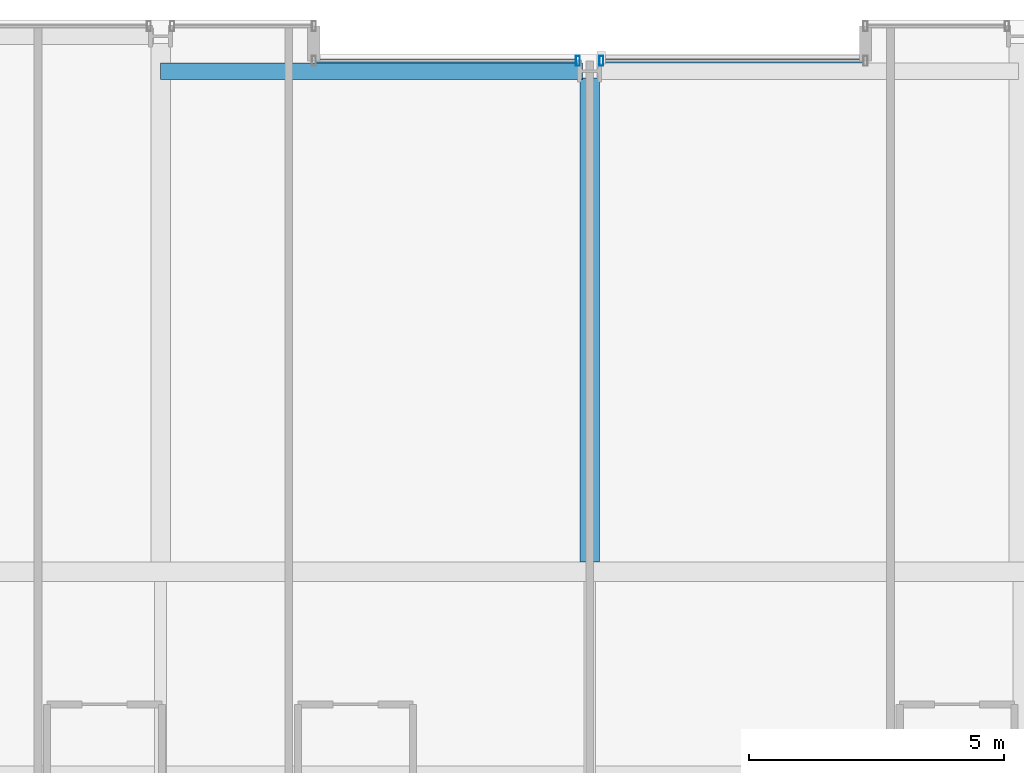
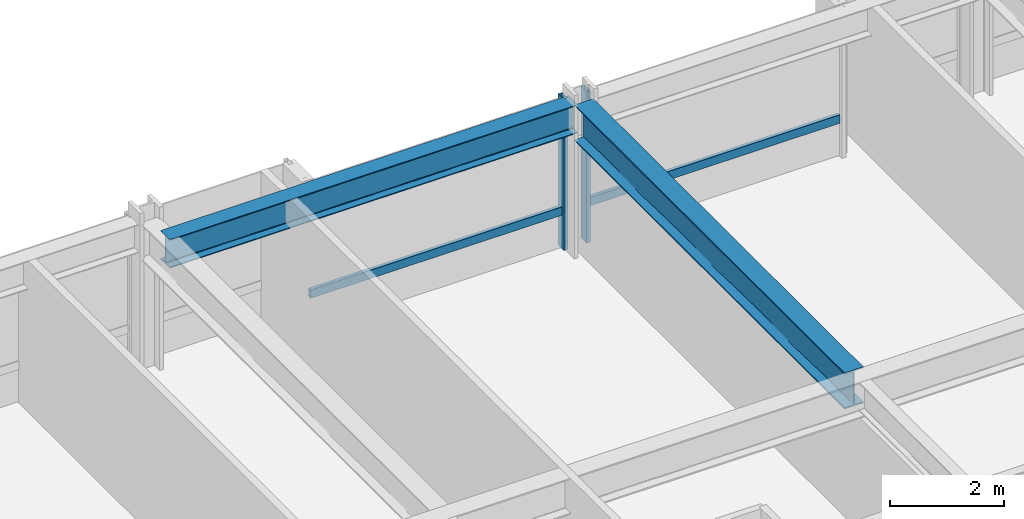
# One storey, part 23 of 38: 4 members, 2 beams, 2 elements without a shape of their own.
"""IFC4 building model written with IfcOpenShell, lengths in metres."""

import ifcopenshell
import ifcopenshell.guid

model = None  # the IFC model being written
_history = None  # IfcOwnerHistory: only IFC2X3 demands one
_inside = {}  # id of a spatial element -> (the spatial element, [elements in it])
_under = {}  # id of a project, library or spatial element -> (it, [spatial elements below it])
_declared = {}  # id of a project -> (the project, [libraries it declares])
_typed = {}  # id of a type object -> (the type object, [elements of that type])
_made_of = {}  # id of a material, layer set ... -> (it, [elements and type objects made of it])


def new_model(schema):
    """Start an empty IFC model of exactly this schema.

    Asked for "IFC4X3", IfcOpenShell would pick the latest addendum, in which some entities
    have other attributes; the version numbers below select the first issue.
    IFC2X3 requires an IfcOwnerHistory on every rooted entity: one is made here for all.
    """
    global model, _history
    if schema == "IFC4X3":
        model = ifcopenshell.file(schema_version=(4, 3, 0, 0))
    else:
        model = ifcopenshell.file(schema=schema)
    _inside.clear()
    _under.clear()
    _declared.clear()
    _typed.clear()
    _made_of.clear()
    _history = None
    if model.schema == "IFC2X3":
        org = make("IfcOrganization", Name="unknown")
        user = make(
            "IfcPersonAndOrganization",
            ThePerson=make("IfcPerson", FamilyName="unknown"),
            TheOrganization=org,
        )
        app = make(
            "IfcApplication",
            ApplicationDeveloper=org,
            Version="unknown",
            ApplicationFullName="unknown",
            ApplicationIdentifier="unknown",
        )
        _history = make(
            "IfcOwnerHistory",
            OwningUser=user,
            OwningApplication=app,
            ChangeAction="ADDED",
            CreationDate=0,
        )
    return model


def make(cls, **values):
    """One entity of the class cls with the attributes given. An attribute that is None is left unset."""
    return model.create_entity(
        cls, **{name: value for name, value in values.items() if value is not None}
    )


def rooted(cls, **values):
    """An entity with a GlobalId (a new one), such as an element, a storey or a relation."""
    return make(cls, GlobalId=ifcopenshell.guid.new(), OwnerHistory=_history, **values)


def si_unit(unit_type, name, prefix=None):
    """IfcSIUnit, for example si_unit("LENGTHUNIT", "METRE", prefix="MILLI")."""
    return make("IfcSIUnit", UnitType=unit_type, Prefix=prefix, Name=name)


def assignment(units):
    """IfcUnitAssignment: the units of a project."""
    return None if units is None else make("IfcUnitAssignment", Units=units)


def point(xyz):
    """IfcCartesianPoint."""
    return None if xyz is None else make("IfcCartesianPoint", Coordinates=xyz)


def direction(xyz):
    """IfcDirection."""
    return None if xyz is None else make("IfcDirection", DirectionRatios=xyz)


def frame(location, z_axis=None, x_axis=None):
    """IfcAxis2Placement3D, a coordinate frame: its origin and axes. An axis left out is left unset."""
    return make(
        "IfcAxis2Placement3D",
        Location=point(location),
        Axis=direction(z_axis),
        RefDirection=direction(x_axis),
    )


def frame_2d(location, x_axis=None):
    """IfcAxis2Placement2D, a coordinate frame in the plane: its origin and x axis."""
    return make(
        "IfcAxis2Placement2D", Location=point(location), RefDirection=direction(x_axis)
    )


def origin():
    """The frame at (0, 0, 0) with its axes left unset."""
    return frame((0.0, 0.0, 0.0))


def origin_2d():
    """The frame at (0, 0) in the plane with its x axis left unset."""
    return frame_2d((0.0, 0.0))


def place(relative_to, where):
    """IfcLocalPlacement: puts the frame where relative to a parent placement (None: the world)."""
    return make(
        "IfcLocalPlacement", PlacementRelTo=relative_to, RelativePlacement=where
    )


def context(
    kind, dimensions, precision=None, world=None, true_north=None, identifier=None
):
    """IfcGeometricRepresentationContext, for example the 3D "Model" context."""
    return make(
        "IfcGeometricRepresentationContext",
        ContextIdentifier=identifier,
        ContextType=kind,
        CoordinateSpaceDimension=dimensions,
        Precision=precision,
        WorldCoordinateSystem=world,
        TrueNorth=true_north,
    )


def subcontext(parent, identifier, kind, view, scale=None):
    """IfcGeometricRepresentationSubContext, for example "Body" below "Model"."""
    return make(
        "IfcGeometricRepresentationSubContext",
        ContextIdentifier=identifier,
        ContextType=kind,
        ParentContext=parent,
        TargetScale=scale,
        TargetView=view,
    )


def project(units=None, contexts=None):
    """IfcProject with its units and contexts."""
    return rooted(
        "IfcProject",
        Name="project",
        RepresentationContexts=contexts,
        UnitsInContext=assignment(units),
    )


def spatial(cls, under=None, at=None, **own):
    """A site, building, storey or space (cls), placed at a placement, below another one or the project."""
    s = rooted(cls, ObjectPlacement=at, **own)
    if under is not None:
        _under.setdefault(under.id(), (under, []))[1].append(s)
    return s


def profile(cls, at=None, kind="AREA", **sizes):
    """A parametric profile (cls). Its sizes go by their IFC names, for example OverallWidth=200.0."""
    return make(cls, ProfileType=kind, Position=at, **sizes)


def hollow_rectangle(**sizes):
    """IfcRectangleHollowProfileDef."""
    return profile("IfcRectangleHollowProfileDef", **sizes)


def i_section(**sizes):
    """IfcIShapeProfileDef."""
    return profile("IfcIShapeProfileDef", **sizes)


def extrude(swept, where, along, depth):
    """IfcExtrudedAreaSolid: the profile swept, set in the frame where, extruded along a direction by depth."""
    return make(
        "IfcExtrudedAreaSolid",
        SweptArea=swept,
        Position=where,
        ExtrudedDirection=direction(along),
        Depth=depth,
    )


def shape(context_of_items, identifier, shape_type, items):
    """IfcShapeRepresentation: the items that make up one representation, for example the "Body"."""
    return make(
        "IfcShapeRepresentation",
        ContextOfItems=context_of_items,
        RepresentationIdentifier=identifier,
        RepresentationType=shape_type,
        Items=items,
    )


def material(Name=None, Category=None):
    """IfcMaterial."""
    return make("IfcMaterial", Name=Name, Category=Category)


def layer(
    of_material, thickness, ventilated=None, Name=None, Category=None, Priority=None
):
    """IfcMaterialLayer: one layer of a wall or slab, of a material (None: an air gap)."""
    return make(
        "IfcMaterialLayer",
        Material=of_material,
        LayerThickness=thickness,
        IsVentilated=ventilated,
        Name=Name,
        Category=Category,
        Priority=Priority,
    )


def layer_set(layers, Name=None):
    """IfcMaterialLayerSet."""
    return make("IfcMaterialLayerSet", MaterialLayers=layers, LayerSetName=Name)


def material_profile(
    of_material, cross_section, Name=None, Category=None, Priority=None
):
    """IfcMaterialProfile: a cross section and its material."""
    return make(
        "IfcMaterialProfile",
        Name=Name,
        Material=of_material,
        Profile=cross_section,
        Priority=Priority,
        Category=Category,
    )


def profile_set(profiles, Name=None, composite=None):
    """IfcMaterialProfileSet."""
    return make(
        "IfcMaterialProfileSet",
        Name=Name,
        MaterialProfiles=profiles,
        CompositeProfile=composite,
    )


def made_of(thing, what):
    """Note that an element or type object is made of a material, layer set ...; save() writes the relation."""
    if what is not None:
        _made_of.setdefault(what.id(), (what, []))[1].append(thing)
    return thing


def type_object(cls, material=None, **own):
    """A type object (cls), such as IfcWallType, which elements share."""
    return made_of(rooted(cls, **own), material)


def element(
    cls,
    number,
    at=None,
    inside=None,
    cuts=None,
    type_object=None,
    material=None,
    context=None,
    identifier="Body",
    shape_type=None,
    held_by="IfcProductDefinitionShape",
    body=None,
    shapes=None,
    **own,
):
    """One element of the class cls, such as IfcWall. Its Tag is "e" and its number.

    at: its placement. inside: the storey or other place that contains it. cuts: it is an
    opening in that element (IfcRelVoidsElement). A single representation is given by context,
    identifier, shape_type and body (its items); several are given by shapes. held_by: the class
    of the entity that holds the representations. save() writes the other relations.
    """
    e = rooted(cls, Tag="e%d" % number, ObjectPlacement=at, **own)
    if body is not None:
        shapes = [shape(context, identifier, shape_type, body)]
    if shapes is not None:
        e.Representation = make(held_by, Representations=shapes)
    if inside is not None:
        _inside.setdefault(inside.id(), (inside, []))[1].append(e)
    if cuts is not None:
        rooted(
            "IfcRelVoidsElement", RelatingBuildingElement=cuts, RelatedOpeningElement=e
        )
    if type_object is not None:
        _typed.setdefault(type_object.id(), (type_object, []))[1].append(e)
    return made_of(e, material)


def aggregate(whole, parts):
    """IfcRelAggregates: a whole, such as a stair, and the parts it consists of."""
    return rooted("IfcRelAggregates", RelatingObject=whole, RelatedObjects=parts)


def save(model, path):
    """Write the relations noted so far, then the file.

    IfcRelAggregates (storeys below a building ...), IfcRelContainedInSpatialStructure (elements
    in a storey), IfcRelDefinesByType, IfcRelAssociatesMaterial and IfcRelDeclares: one each for
    every whole, place, type object, material and project.
    """
    for whole, parts in _under.values():
        aggregate(whole, parts)
    for where, things in _inside.values():
        rooted(
            "IfcRelContainedInSpatialStructure",
            RelatedElements=things,
            RelatingStructure=where,
        )
    for kind, things in _typed.values():
        rooted("IfcRelDefinesByType", RelatedObjects=things, RelatingType=kind)
    for what, things in _made_of.values():
        rooted("IfcRelAssociatesMaterial", RelatedObjects=things, RelatingMaterial=what)
    for by, libraries in _declared.values():
        rooted("IfcRelDeclares", RelatingContext=by, RelatedDefinitions=libraries)
    model.write(path)


model = new_model("IFC4")

# Units and contexts
model_context = context("Model", 3, precision=1e-05, world=origin(), true_north=direction((0.0, 1.0)))
body_context = subcontext(model_context, "Body", "Model", "MODEL_VIEW")
ifc_project = project(units=[si_unit("LENGTHUNIT", "METRE"), si_unit("AREAUNIT", "SQUARE_METRE"), si_unit("VOLUMEUNIT", "CUBIC_METRE"), si_unit("PLANEANGLEUNIT", "RADIAN"), si_unit("MASSUNIT", "GRAM", prefix="KILO")], contexts=[model_context])

# Site, building, storey
site_placement = place(None, origin())
site = spatial("IfcSite", under=ifc_project, at=site_placement, CompositionType="ELEMENT")
building_placement = place(site_placement, origin())
building = spatial("IfcBuilding", under=site, at=building_placement, Name="Drelvath Grand Hotel", CompositionType="ELEMENT")
storey_placement = place(building_placement, frame((0.0, 0.0, 71.699951171875)))
storey = spatial("IfcBuildingStorey", under=building, at=storey_placement, Name="L17", CompositionType="ELEMENT", Elevation=71.699951171875)

# Curtain wall, member
ifc_material_1 = material(Name="Warm Bronze Anodised Aluminium Frame", Category="aluminium")
ifc_layer = layer(ifc_material_1, 0.199951171875)
ifc_layer_set = layer_set([ifc_layer], Name="Warm Bronze Anodised Aluminium Frame")
curtain_wall_type = type_object("IfcCurtainWallType", Name="Stick Curtain Wall CW-02 Warm Bronze Low-Rise", PredefinedType="NOTDEFINED", material=ifc_layer_set)
curtain_wall_1_placement = place(storey_placement, origin())
curtain_wall_1 = element("IfcCurtainWall", 1, at=curtain_wall_1_placement, inside=storey, type_object=curtain_wall_type, Name="L17 CW-02 Curtain Wall CW02-L17-NM1", PredefinedType="NOTDEFINED")
ifc_material_profile_1 = material_profile(ifc_material_1, hollow_rectangle(XDim=0.074951171875, YDim=0.179931640625, WallThickness=0.0048828125, at=origin_2d()), Name="HSS180X75X5")
ifc_profile_set_1 = profile_set([ifc_material_profile_1], Name="Warm Bronze Anodised Aluminium Frame")
member_type_1 = type_object("IfcMemberType", Name="Curtain Wall Horizontal Transom CW-02 HSS180X75X5", PredefinedType="USERDEFINED", material=ifc_profile_set_1)
member_1_placement = place(storey_placement, frame((-5.360107421875, 53.199951171875, 0.81005859375), z_axis=(1.0, 0.0, 0.0), x_axis=(0.0, 1.0, 0.0)))
member_1 = element("IfcMember", 2, at=member_1_placement, type_object=member_type_1, Name="CW02-L17-NM1 Sill Transom", ObjectType="TRANSOM", PredefinedType="USERDEFINED", context=body_context, shape_type="SweptSolid", body=[
    extrude(hollow_rectangle(XDim=0.074951171875, YDim=0.179931640625, WallThickness=0.0048828125, at=origin_2d()), origin(), (0.0, 0.0, 1.0), 5.091064453125),
])

curtain_wall_2_placement = place(storey_placement, origin())
curtain_wall_2 = element("IfcCurtainWall", 3, at=curtain_wall_2_placement, inside=storey, type_object=curtain_wall_type, Name="L17 CW-02 Curtain Wall CW02-L17-NM2", PredefinedType="NOTDEFINED")
member_2_placement = place(storey_placement, frame((0.26904296875, 53.199951171875, 0.81005859375), z_axis=(1.0, 0.0, 0.0), x_axis=(0.0, 1.0, 0.0)))
member_2 = element("IfcMember", 4, at=member_2_placement, type_object=member_type_1, Name="CW02-L17-NM2 Sill Transom", ObjectType="TRANSOM", PredefinedType="USERDEFINED", context=body_context, shape_type="SweptSolid", body=[
    extrude(hollow_rectangle(XDim=0.074951171875, YDim=0.179931640625, WallThickness=0.0048828125, at=origin_2d()), origin(), (0.0, 0.0, 1.0), 5.091064453125),
])

# Member
ifc_material_profile_2 = material_profile(ifc_material_1, hollow_rectangle(XDim=0.080078125, YDim=0.199951171875, WallThickness=0.0048828125, at=origin_2d()), Name="HSS200X80X5")
ifc_profile_set_2 = profile_set([ifc_material_profile_2], Name="Warm Bronze Anodised Aluminium Frame")
member_type_2 = type_object("IfcMemberType", Name="Curtain Wall Vertical Mullion CW-02 HSS200X80X5", PredefinedType="MULLION", material=ifc_profile_set_2)
member_3_placement = place(storey_placement, frame((-0.22900390625, 53.199951171875, 0.0), z_axis=(0.0, 0.0, 1.0), x_axis=(1.0, 0.0, 0.0)))
member_3 = element("IfcMember", 5, at=member_3_placement, type_object=member_type_2, Name="CW02-L17-NM1 Mullion 2", PredefinedType="MULLION", context=body_context, shape_type="SweptSolid", body=[
    extrude(hollow_rectangle(XDim=0.080078125, YDim=0.199951171875, WallThickness=0.0048828125, at=origin_2d()), origin(), (0.0, 0.0, 1.0), 3.239990234375),
])

aggregate(curtain_wall_1, [member_3, member_1])

member_4_placement = place(storey_placement, frame((0.22900390625, 53.199951171875, 0.0), z_axis=(0.0, 0.0, 1.0), x_axis=(1.0, 0.0, 0.0)))
member_4 = element("IfcMember", 6, at=member_4_placement, type_object=member_type_2, Name="CW02-L17-NM2 Mullion 1", PredefinedType="MULLION", context=body_context, shape_type="SweptSolid", body=[
    extrude(hollow_rectangle(XDim=0.080078125, YDim=0.199951171875, WallThickness=0.0048828125, at=origin_2d()), origin(), (0.0, 0.0, 1.0), 3.239990234375),
])

aggregate(curtain_wall_2, [member_4, member_2])

# Beams
ifc_material_2 = material(Name="Steel ASTM A992 Gr 50", Category="steel")
ifc_material_profile_3 = material_profile(ifc_material_2, i_section(OverallWidth=0.323974609375, OverallDepth=0.611083984375, WebThickness=0.0126953125, FlangeThickness=0.01904296875, FilletRadius=0.02197265625, at=origin_2d()), Name="W24X104")
ifc_profile_set_3 = profile_set([ifc_material_profile_3], Name="Steel ASTM A992 Gr 50")
beam_type_1 = type_object("IfcBeamType", Name="Perimeter Spandrel Beam W24X104", PredefinedType="SPANDREL", material=ifc_profile_set_3)
beam_1_placement = place(storey_placement, frame((-8.39990234375, 53.0, 2.9345703125), z_axis=(1.0, 0.0, 0.0), x_axis=(0.0, 1.0, 0.0)))
element("IfcBeam", 7, at=beam_1_placement, inside=storey, type_object=beam_type_1, Name="L17 Spandrel North Mid W", PredefinedType="SPANDREL", context=body_context, shape_type="SweptSolid", body=[
    extrude(i_section(OverallWidth=0.323974609375, OverallDepth=0.611083984375, WebThickness=0.0126953125, FlangeThickness=0.01904296875, FilletRadius=0.02197265625, at=origin_2d()), origin(), (0.0, 0.0, 1.0), 8.260009765625),
])
ifc_material_profile_4 = material_profile(ifc_material_2, i_section(OverallWidth=0.380615234375, OverallDepth=0.773193359375, WebThickness=0.0166015625, FlangeThickness=0.027099609375, FilletRadius=0.02490234375, at=origin_2d()), Name="W30X173")
ifc_profile_set_4 = profile_set([ifc_material_profile_4], Name="Steel ASTM A992 Gr 50")
beam_type_2 = type_object("IfcBeamType", Name="Primary Floor Girder W30X173", PredefinedType="BEAM", material=ifc_profile_set_4)
beam_2_placement = place(storey_placement, frame((0.0, 43.390380859375, 2.853515625), z_axis=(0.0, 1.0, 0.0), x_axis=(-1.0, 0.0, 0.0)))
element("IfcBeam", 8, at=beam_2_placement, inside=storey, type_object=beam_type_2, Name="L17 North Wing Girder 5", PredefinedType="BEAM", context=body_context, shape_type="SweptSolid", body=[
    extrude(i_section(OverallWidth=0.380615234375, OverallDepth=0.773193359375, WebThickness=0.0166015625, FlangeThickness=0.027099609375, FilletRadius=0.02490234375, at=origin_2d()), origin(), (0.0, 0.0, 1.0), 9.4697265625),
])

save(model, "model.ifc")
